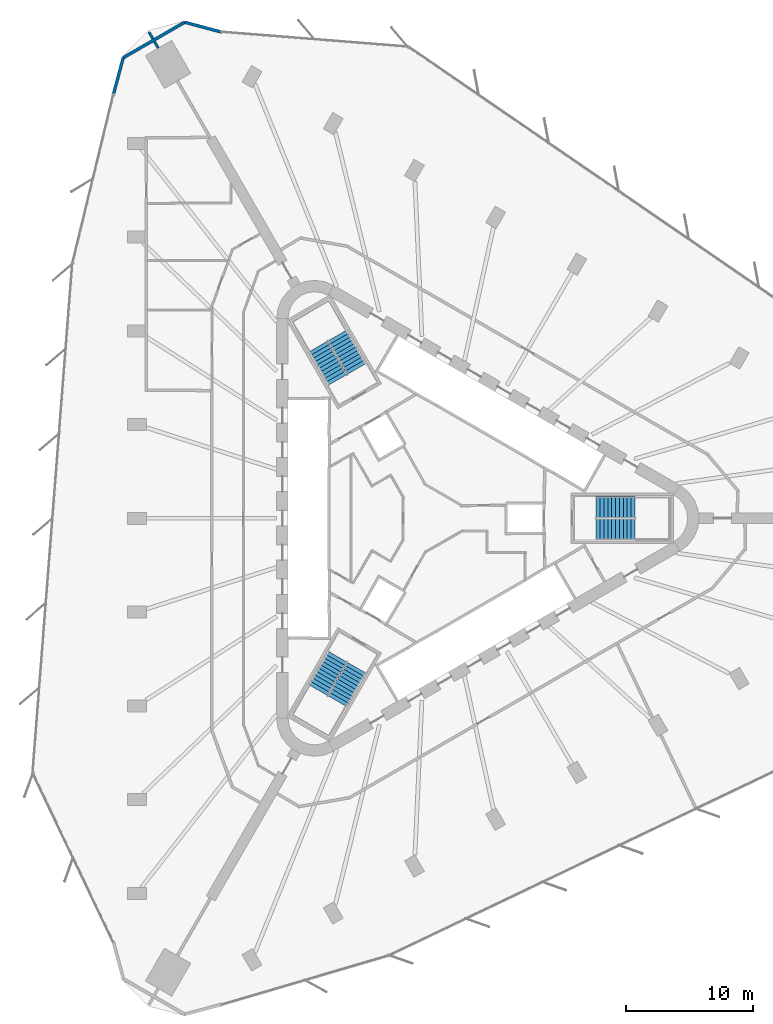
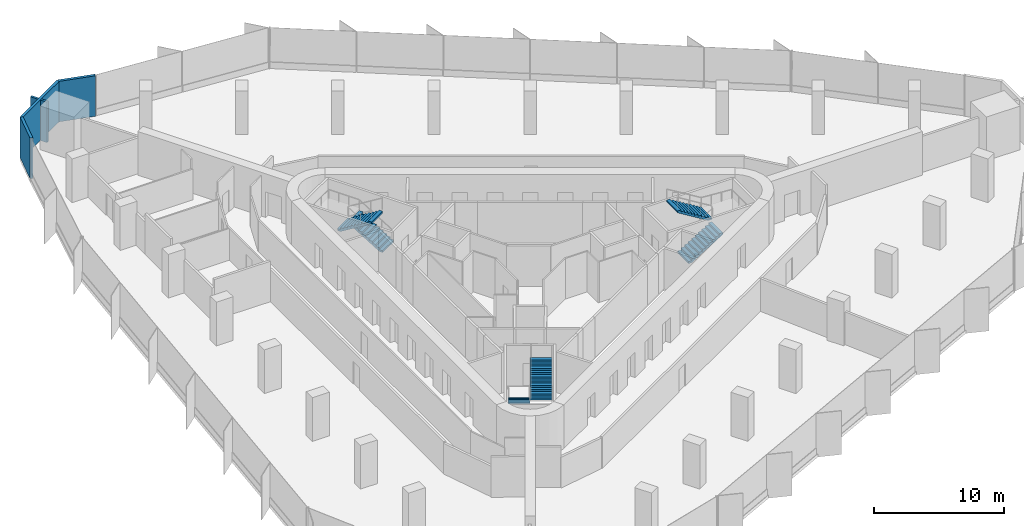
# One storey, part 13 of 14: 6 stair flights, 5 walls, 3 elements without a shape of their own.
"""IFC4 building model written with IfcOpenShell, lengths in metres."""

from ifc_helpers import new_model, si_unit, direction, frame, frame_2d, origin, place, context, subcontext, project, spatial, polyline, rectangle, outline, extrude, material, layer, layer_set, type_object, element, aggregate, save


model = new_model("IFC4")

# Units and contexts
model_context = context("Model", 3, precision=1e-05, world=origin(), true_north=direction((0.0, 1.0)))
body_context = subcontext(model_context, "Body", "Model", "MODEL_VIEW")
ifc_project = project(units=[si_unit("LENGTHUNIT", "METRE"), si_unit("AREAUNIT", "SQUARE_METRE"), si_unit("VOLUMEUNIT", "CUBIC_METRE"), si_unit("PLANEANGLEUNIT", "RADIAN"), si_unit("MASSUNIT", "GRAM", prefix="KILO")], contexts=[model_context])

# Site, building, storey
site_placement = place(None, origin())
site = spatial("IfcSite", under=ifc_project, at=site_placement, CompositionType="ELEMENT")
building_placement = place(site_placement, origin())
building = spatial("IfcBuilding", under=site, at=building_placement, Name="Tanit Gate Tower", CompositionType="ELEMENT")
storey_placement = place(building_placement, frame((0.0, 0.0, 86.5)))
storey = spatial("IfcBuildingStorey", under=building, at=storey_placement, Name="L17", CompositionType="ELEMENT", Elevation=86.5)

# Walls
ifc_material_1 = material(Name="Concrete C30/37 with bronze anodised aluminium cladding", Category="concrete")
ifc_layer_1 = layer(ifc_material_1, 0.239990234375)
ifc_layer_set_1 = layer_set([ifc_layer_1], Name="Facade wall bronze clad 240")
wall_type_1 = type_object("IfcWallType", Name="Facade wall bronze clad 240", PredefinedType="SOLIDWALL", material=ifc_layer_set_1)
wall_1_placement = place(storey_placement, frame((-16.494384765625, 38.3486328125, 0.0), z_axis=(0.0, 0.0, 1.0), x_axis=(-0.965922171105, 0.258832686049, 0.0)))
element("IfcWall", 1, at=wall_1_placement, inside=storey, type_object=wall_type_1, Name="Bronze-clad facade wall L17 NW.arc1", PredefinedType="SOLIDWALL", context=body_context, shape_type="SweptSolid", body=[
    extrude(rectangle(XDim=2.947509765625, YDim=0.239990234375, at=frame_2d((1.4736328125, 0.0))), origin(), (0.0, 0.0, 1.0), 3.800048828125),
])
wall_2_placement = place(storey_placement, frame((-19.341552734375, 39.111572265625, 0.0), z_axis=(0.0, 0.0, 1.0), x_axis=(-0.866036326607, -0.499981080639, 0.0)))
element("IfcWall", 2, at=wall_2_placement, inside=storey, type_object=wall_type_1, Name="Bronze-clad facade wall L17 NW.arc2", PredefinedType="SOLIDWALL", context=body_context, shape_type="SweptSolid", body=[
    extrude(rectangle(XDim=5.611083984375, YDim=0.239990234375, at=frame_2d((2.8056640625, 0.0))), origin(), (0.0, 0.0, 1.0), 3.800048828125),
])
wall_3_placement = place(storey_placement, frame((-24.200927734375, 36.30615234375, 0.0), z_axis=(0.0, 0.0, 1.0), x_axis=(-0.258765188568, -0.965940255495, 0.0)))
element("IfcWall", 3, at=wall_3_placement, inside=storey, type_object=wall_type_1, Name="Bronze-clad facade wall L17 NW.arc3", PredefinedType="SOLIDWALL", context=body_context, shape_type="SweptSolid", body=[
    extrude(rectangle(XDim=2.93505859375, YDim=0.239990234375, at=frame_2d((1.467529296875, 0.0))), origin(), (0.0, 0.0, 1.0), 3.800048828125),
])
ifc_material_2 = material(Name="Fire-rated gypsum board partition")
ifc_layer_2 = layer(ifc_material_2, 0.199951171875)
ifc_layer_set_2 = layer_set([ifc_layer_2], Name="INT-WALL-COMPARTMENT")
wall_type_2 = type_object("IfcWallType", Name="INT-WALL-COMPARTMENT", PredefinedType="PARTITIONING", material=ifc_layer_set_2)
wall_4_placement = place(storey_placement, frame((-22.1689453125, 38.337890625, 0.0), z_axis=(0.0, 0.0, 1.0), x_axis=(0.499970989427, -0.866042152399, 0.0)))
element("IfcWall", 4, at=wall_4_placement, inside=storey, type_object=wall_type_2, Name="Wall Compartment W107", PredefinedType="PARTITIONING", context=body_context, shape_type="SweptSolid", body=[
    extrude(rectangle(XDim=0.62353515625, YDim=0.199951171875, at=frame_2d((0.311767578125, 0.0))), origin(), (0.0, 0.0, 1.0), 3.800048828125),
])
wall_5_placement = place(storey_placement, frame((-21.737060546875, 37.58984375, 0.0), z_axis=(0.0, 0.0, 1.0), x_axis=(0.499920697567, -0.866071184225, 0.0)))
element("IfcWall", 5, at=wall_5_placement, inside=storey, type_object=wall_type_2, Name="Wall Compartment W107x1", PredefinedType="PARTITIONING", context=body_context, shape_type="SweptSolid", body=[
    extrude(rectangle(XDim=0.60400390625, YDim=0.199951171875, at=frame_2d((0.302001953125, 0.0))), origin(), (0.0, 0.0, 1.0), 3.800048828125),
])

# Stair, stair flights
ifc_material_3 = material(Name="Concrete C40/50", Category="concrete")
stair_type = type_object("IfcStairType", Name="INT-STAIR-EXIT", PredefinedType="HALF_TURN_STAIR", material=ifc_material_3)
stair_1_placement = place(storey_placement, origin())
stair_1 = element("IfcStair", 6, at=stair_1_placement, inside=storey, type_object=stair_type, Name="L17 STAIR S1", PredefinedType="HALF_TURN_STAIR")
ifc_material_4 = material(Name="Concrete C40/50", Category="concrete")
stair_flight_type = type_object("IfcStairFlightType", Name="INT-STAIR-FLIGHT", PredefinedType="STRAIGHT", material=ifc_material_4)
stair_flight_1_placement = place(storey_placement, frame((13.094970703125, -0.8525390625, 0.0), z_axis=(0.0, 0.0, 1.0), x_axis=(1.0, 0.0, 0.0)))
stair_flight_1 = element("IfcStairFlight", 7, at=stair_flight_1_placement, type_object=stair_flight_type, Name="S1 flight 1", NumberOfRisers=11, NumberOfTreads=10, PredefinedType="STRAIGHT", RiserHeight=0.186363636, TreadLength=0.3051, context=body_context, shape_type="SweptSolid", body=[
    extrude(outline(polyline([(0.0, 0.0), (0.0, 0.186279296875), (0.30517578125, 0.186279296875), (0.30517578125, 0.372802734375), (0.610107421875, 0.372802734375), (0.610107421875, 0.55908203125), (0.915283203125, 0.55908203125), (0.915283203125, 0.745361328125), (1.220458984375, 0.745361328125), (1.220458984375, 0.931884765625), (1.525390625, 0.931884765625), (1.525390625, 1.1181640625), (1.83056640625, 1.1181640625), (1.83056640625, 1.304443359375), (2.1357421875, 1.304443359375), (2.1357421875, 1.490966796875), (2.44091796875, 1.490966796875), (2.44091796875, 1.67724609375), (2.745849609375, 1.67724609375), (2.745849609375, 1.863525390625), (3.051025390625, 1.863525390625), (3.051025390625, 2.050048828125), (3.051025390625, 1.68798828125), (0.28759765625, 0.0), (0.0, 0.0)])), frame((0.0, 0.84765625, 0.0), z_axis=(0.0, -1.0, 0.0), x_axis=(1.0, 0.0, 0.0)), (0.0, 0.0, 1.0), 1.695068359375),
])
stair_flight_2_placement = place(storey_placement, frame((16.14599609375, 0.8525390625, 2.050048828125), z_axis=(0.0, 0.0, 1.0), x_axis=(-1.0, 0.0, 0.0)))
stair_flight_2 = element("IfcStairFlight", 8, at=stair_flight_2_placement, type_object=stair_flight_type, Name="S1 flight 2", NumberOfRisers=11, NumberOfTreads=10, PredefinedType="STRAIGHT", RiserHeight=0.186363636, TreadLength=0.3051, context=body_context, shape_type="SweptSolid", body=[
    extrude(outline(polyline([(0.0, 0.0), (0.0, 0.186279296875), (0.30517578125, 0.186279296875), (0.30517578125, 0.372802734375), (0.610107421875, 0.372802734375), (0.610107421875, 0.55908203125), (0.915283203125, 0.55908203125), (0.915283203125, 0.745361328125), (1.220458984375, 0.745361328125), (1.220458984375, 0.931884765625), (1.525390625, 0.931884765625), (1.525390625, 1.1181640625), (1.83056640625, 1.1181640625), (1.83056640625, 1.304443359375), (2.1357421875, 1.304443359375), (2.1357421875, 1.490966796875), (2.44091796875, 1.490966796875), (2.44091796875, 1.67724609375), (2.745849609375, 1.67724609375), (2.745849609375, 1.863525390625), (3.051025390625, 1.863525390625), (3.051025390625, 2.050048828125), (3.051025390625, 1.68798828125), (0.28759765625, 0.0), (0.0, 0.0)])), frame((0.0, 0.84765625, 0.0), z_axis=(0.0, -1.0, 0.0), x_axis=(1.0, 0.0, 0.0)), (0.0, 0.0, 1.0), 1.695068359375),
])
aggregate(stair_1, [stair_flight_1, stair_flight_2])

stair_2_placement = place(storey_placement, origin())
stair_2 = element("IfcStair", 9, at=stair_2_placement, inside=storey, type_object=stair_type, Name="L17 STAIR S2", PredefinedType="HALF_TURN_STAIR")
stair_flight_3_placement = place(storey_placement, frame((-5.808349609375, 11.766357421875, 0.0), z_axis=(0.0, 0.0, 1.0), x_axis=(-0.5, 0.866025403784, 0.0)))
stair_flight_3 = element("IfcStairFlight", 10, at=stair_flight_3_placement, type_object=stair_flight_type, Name="S2 flight 1", NumberOfRisers=11, NumberOfTreads=10, PredefinedType="STRAIGHT", RiserHeight=0.186363636, TreadLength=0.30492, context=body_context, shape_type="SweptSolid", body=[
    extrude(outline(polyline([(0.0, 0.0), (0.0, 0.186279296875), (0.304931640625, 0.186279296875), (0.304931640625, 0.372802734375), (0.60986328125, 0.372802734375), (0.60986328125, 0.55908203125), (0.914794921875, 0.55908203125), (0.914794921875, 0.745361328125), (1.2197265625, 0.745361328125), (1.2197265625, 0.931884765625), (1.524658203125, 0.931884765625), (1.524658203125, 1.1181640625), (1.82958984375, 1.1181640625), (1.82958984375, 1.304443359375), (2.134521484375, 1.304443359375), (2.134521484375, 1.490966796875), (2.439453125, 1.490966796875), (2.439453125, 1.67724609375), (2.744384765625, 1.67724609375), (2.744384765625, 1.863525390625), (3.04931640625, 1.863525390625), (3.04931640625, 2.050048828125), (3.04931640625, 1.68798828125), (0.287353515625, 0.0), (0.0, 0.0)])), frame((0.0, 0.84716796875, 0.0), z_axis=(0.0, -1.0, 0.0), x_axis=(1.0, 0.0, 0.0)), (0.0, 0.0, 1.0), 1.694091796875),
])
stair_flight_4_placement = place(storey_placement, frame((-8.810302734375, 13.553955078125, 2.050048828125), z_axis=(0.0, 0.0, 1.0), x_axis=(0.5, -0.866025403784, 0.0)))
stair_flight_4 = element("IfcStairFlight", 11, at=stair_flight_4_placement, type_object=stair_flight_type, Name="S2 flight 2", NumberOfRisers=11, NumberOfTreads=10, PredefinedType="STRAIGHT", RiserHeight=0.186363636, TreadLength=0.30492, context=body_context, shape_type="SweptSolid", body=[
    extrude(outline(polyline([(0.0, 0.0), (0.0, 0.186279296875), (0.304931640625, 0.186279296875), (0.304931640625, 0.372802734375), (0.60986328125, 0.372802734375), (0.60986328125, 0.55908203125), (0.914794921875, 0.55908203125), (0.914794921875, 0.745361328125), (1.2197265625, 0.745361328125), (1.2197265625, 0.931884765625), (1.524658203125, 0.931884765625), (1.524658203125, 1.1181640625), (1.82958984375, 1.1181640625), (1.82958984375, 1.304443359375), (2.134521484375, 1.304443359375), (2.134521484375, 1.490966796875), (2.439453125, 1.490966796875), (2.439453125, 1.67724609375), (2.744384765625, 1.67724609375), (2.744384765625, 1.863525390625), (3.04931640625, 1.863525390625), (3.04931640625, 2.050048828125), (3.04931640625, 1.68798828125), (0.287353515625, 0.0), (0.0, 0.0)])), frame((0.0, 0.84716796875, 0.0), z_axis=(0.0, -1.0, 0.0), x_axis=(1.0, 0.0, 0.0)), (0.0, 0.0, 1.0), 1.694091796875),
])
aggregate(stair_2, [stair_flight_3, stair_flight_4])

stair_3_placement = place(storey_placement, origin())
stair_3 = element("IfcStair", 12, at=stair_3_placement, inside=storey, type_object=stair_type, Name="L17 STAIR S3", PredefinedType="HALF_TURN_STAIR")
stair_flight_5_placement = place(storey_placement, frame((-7.285888671875, -10.914306640625, 0.0), z_axis=(0.0, 0.0, 1.0), x_axis=(-0.5, -0.866025403784, 0.0)))
stair_flight_5 = element("IfcStairFlight", 13, at=stair_flight_5_placement, type_object=stair_flight_type, Name="S3 flight 1", NumberOfRisers=11, NumberOfTreads=10, PredefinedType="STRAIGHT", RiserHeight=0.186363636, TreadLength=0.3051, context=body_context, shape_type="SweptSolid", body=[
    extrude(outline(polyline([(0.0, 0.0), (0.0, 0.186279296875), (0.30517578125, 0.186279296875), (0.30517578125, 0.372802734375), (0.610107421875, 0.372802734375), (0.610107421875, 0.55908203125), (0.915283203125, 0.55908203125), (0.915283203125, 0.745361328125), (1.220458984375, 0.745361328125), (1.220458984375, 0.931884765625), (1.525390625, 0.931884765625), (1.525390625, 1.1181640625), (1.83056640625, 1.1181640625), (1.83056640625, 1.304443359375), (2.1357421875, 1.304443359375), (2.1357421875, 1.490966796875), (2.44091796875, 1.490966796875), (2.44091796875, 1.67724609375), (2.745849609375, 1.67724609375), (2.745849609375, 1.863525390625), (3.051025390625, 1.863525390625), (3.051025390625, 2.050048828125), (3.051025390625, 1.68798828125), (0.28759765625, 0.0), (0.0, 0.0)])), frame((0.0, 0.84765625, 0.0), z_axis=(0.0, -1.0, 0.0), x_axis=(1.0, 0.0, 0.0)), (0.0, 0.0, 1.0), 1.695068359375),
])
stair_flight_6_placement = place(storey_placement, frame((-7.334716796875, -14.4091796875, 2.050048828125), z_axis=(0.0, 0.0, 1.0), x_axis=(0.5, 0.866025403784, 0.0)))
stair_flight_6 = element("IfcStairFlight", 14, at=stair_flight_6_placement, type_object=stair_flight_type, Name="S3 flight 2", NumberOfRisers=11, NumberOfTreads=10, PredefinedType="STRAIGHT", RiserHeight=0.186363636, TreadLength=0.3051, context=body_context, shape_type="SweptSolid", body=[
    extrude(outline(polyline([(0.0, 0.0), (0.0, 0.186279296875), (0.30517578125, 0.186279296875), (0.30517578125, 0.372802734375), (0.610107421875, 0.372802734375), (0.610107421875, 0.55908203125), (0.915283203125, 0.55908203125), (0.915283203125, 0.745361328125), (1.220458984375, 0.745361328125), (1.220458984375, 0.931884765625), (1.525390625, 0.931884765625), (1.525390625, 1.1181640625), (1.83056640625, 1.1181640625), (1.83056640625, 1.304443359375), (2.1357421875, 1.304443359375), (2.1357421875, 1.490966796875), (2.44091796875, 1.490966796875), (2.44091796875, 1.67724609375), (2.745849609375, 1.67724609375), (2.745849609375, 1.863525390625), (3.051025390625, 1.863525390625), (3.051025390625, 2.050048828125), (3.051025390625, 1.68798828125), (0.28759765625, 0.0), (0.0, 0.0)])), frame((0.0, 0.84765625, 0.0), z_axis=(0.0, -1.0, 0.0), x_axis=(1.0, 0.0, 0.0)), (0.0, 0.0, 1.0), 1.695068359375),
])
aggregate(stair_3, [stair_flight_5, stair_flight_6])

save(model, "model.ifc")
